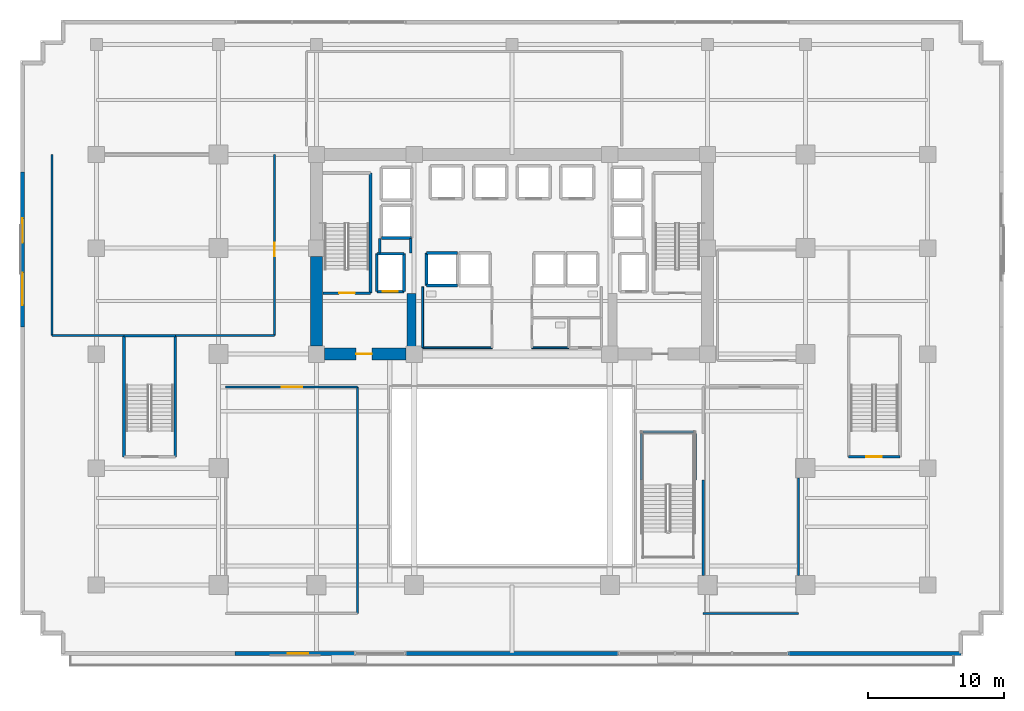
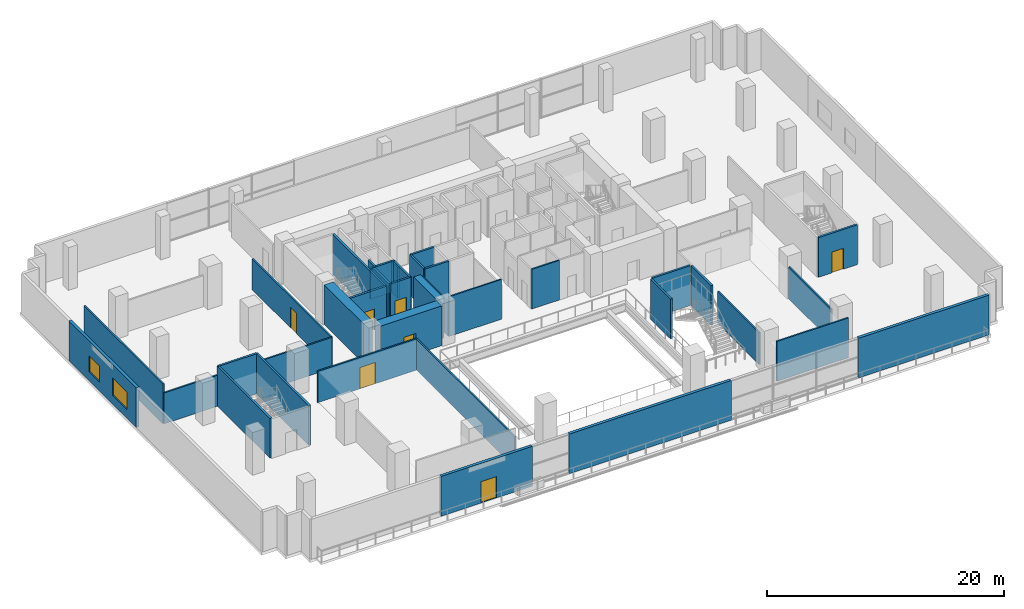
# One storey, part 13 of 23: 38 walls, 7 doors, 2 windows, 9 openings.
"""IFC4 building model written with IfcOpenShell, lengths in metres."""

from ifc_helpers import new_model, si_unit, direction, frame, frame_2d, origin, place, context, subcontext, project, spatial, rectangle, extrude, source, transform, mapped, material, layer, layer_set, type_object, element, fill, save


model = new_model("IFC4")

# Units and contexts
model_context = context("Model", 3, precision=1e-05, world=origin(), true_north=direction((0.0, 1.0)))
body_context = subcontext(model_context, "Body", "Model", "MODEL_VIEW")
ifc_project = project(units=[si_unit("LENGTHUNIT", "METRE"), si_unit("AREAUNIT", "SQUARE_METRE"), si_unit("VOLUMEUNIT", "CUBIC_METRE"), si_unit("PLANEANGLEUNIT", "RADIAN"), si_unit("MASSUNIT", "GRAM", prefix="KILO")], contexts=[model_context])

# Site, building, storey
site_placement = place(None, origin())
site = spatial("IfcSite", under=ifc_project, at=site_placement, CompositionType="ELEMENT")
building_placement = place(site_placement, origin())
building = spatial("IfcBuilding", under=site, at=building_placement, Name="Zarnakvel Exchange Tower", CompositionType="ELEMENT")
storey_placement = place(building_placement, frame((0.0, 0.0, 13.800048828125)))
storey = spatial("IfcBuildingStorey", under=building, at=storey_placement, Name="L03", CompositionType="ELEMENT", Elevation=13.800048828125)

# Wall
ifc_material_1 = material(Name="Concrete C80/95", Category="concrete")
ifc_layer_1 = layer(ifc_material_1, 0.89990234375)
ifc_layer_set_1 = layer_set([ifc_layer_1], Name="Concrete C80/95")
wall_type_1 = type_object("IfcWallType", Name="CW-C1", PredefinedType="SHEAR", material=ifc_layer_set_1)
wall_1_placement = place(storey_placement, frame((-14.39990234375, -0.60009765625, 0.0), z_axis=(0.0, 0.0, 1.0), x_axis=(0.0, 1.0, 0.0)))
element("IfcWall", 1, at=wall_1_placement, inside=storey, type_object=wall_type_1, Name="L03 Rear Core Shear Wall W1 (CW-C1)", PredefinedType="SHEAR", context=body_context, shape_type="SweptSolid", body=[
    extrude(rectangle(XDim=6.60009765625, YDim=0.89990234375, at=frame_2d((3.300048828125, 0.0))), origin(), (0.0, 0.0, 1.0), 4.099853515625),
])

# Wall, opening, door
wall_2_placement = place(storey_placement, frame((-7.800048828125, -1.199951171875, 0.0), z_axis=(0.0, 0.0, 1.0), x_axis=(-1.0, 0.0, 0.0)))
wall_2 = element("IfcWall", 2, at=wall_2_placement, inside=storey, type_object=wall_type_1, Name="L03 Rear Core Shear Wall SW (CW-C1)", PredefinedType="SHEAR", context=body_context, shape_type="SweptSolid", body=[
    extrude(rectangle(XDim=6.0, YDim=0.89990234375, at=frame_2d((3.0, 0.0))), origin(), (0.0, 0.0, 1.0), 4.099853515625),
])
opening_1_placement = place(wall_2_placement, frame((2.52490234375, 0.0, 0.0)))
opening_1 = element("IfcOpeningElement", 3, at=opening_1_placement, cuts=wall_2, Name="Opening D-L03-03", PredefinedType="OPENING", context=body_context, shape_type="SweptSolid", body=[
    extrude(rectangle(XDim=1.14990234375, YDim=2.14990234375, at=frame_2d((0.574951171875, 1.074951171875))), frame((0.0, 0.4599609375, 0.0), z_axis=(0.0, -1.0, 0.0), x_axis=(1.0, 0.0, 0.0)), (0.0, 0.0, 1.0), 0.919921875),
])
ifc_material_2 = material(Name="Painted Galvanised Steel S355", Category="steel")
door_type_1 = type_object("IfcDoorType", Name="DT-04", OperationType="NOTDEFINED", PredefinedType="DOOR", material=ifc_material_2)
shared_shape_1 = source(origin(), body_context, "Body", "SweptSolid", [
    extrude(rectangle(XDim=1.14990234375, YDim=2.14990234375, at=frame_2d((0.574951171875, 1.074951171875))), frame((0.0, 0.02490234375, 0.0), z_axis=(0.0, -1.0, 0.0), x_axis=(1.0, 0.0, 0.0)), (0.0, 0.0, 1.0), 0.050048828125),
])
door_1_placement = place(opening_1_placement, origin())
door_1 = element("IfcDoor", 4, at=door_1_placement, inside=storey, type_object=door_type_1, Name="L03 Firefighting Lobby West Door D-L03-03", OperationType="SINGLE_SWING_LEFT", OverallHeight=2.14990234375, OverallWidth=1.14990234375, PredefinedType="DOOR", context=body_context, shape_type="MappedRepresentation", body=[
    mapped(shared_shape_1, transform((0.0, 0.0, 0.0), x_axis=(1.0, 0.0, 0.0), y_axis=(0.0, 1.0, 0.0), z_axis=(0.0, 0.0, 1.0), scale=1.0)),
])
fill(opening_1, door_1)

# Wall
ifc_layer_2 = layer(ifc_material_1, 0.64990234375)
ifc_layer_set_2 = layer_set([ifc_layer_2], Name="Concrete C80/95")
wall_type_2 = type_object("IfcWallType", Name="CW-C2", PredefinedType="SHEAR", material=ifc_layer_set_2)
wall_3_placement = place(storey_placement, frame((-7.39990234375, -0.75, 0.0), z_axis=(0.0, 0.0, 1.0), x_axis=(0.0, 1.0, 0.0)))
element("IfcWall", 5, at=wall_3_placement, inside=storey, type_object=wall_type_2, Name="L03 Rear Core Shear Wall IW (CW-C2)", PredefinedType="SHEAR", context=body_context, shape_type="SweptSolid", body=[
    extrude(rectangle(XDim=4.0, YDim=0.64990234375, at=frame_2d((2.0, 0.0))), origin(), (0.0, 0.0, 1.0), 4.099853515625),
])

# Wall, openings, windows
ifc_material_3 = material(Name="Precast concrete C40/50", Category="concrete")
ifc_layer_3 = layer(ifc_material_3, 0.280029296875)
ifc_layer_set_3 = layer_set([ifc_layer_3], Name="Precast concrete C40/50")
wall_type_3 = type_object("IfcWallType", Name="EW-01", PredefinedType="SOLIDWALL", material=ifc_layer_set_3)
wall_4_placement = place(storey_placement, frame((-36.0400390625, 0.800048828125, 0.0), z_axis=(0.0, 0.0, 1.0), x_axis=(0.0, 1.0, 0.0)))
wall_4 = element("IfcWall", 6, at=wall_4_placement, inside=storey, type_object=wall_type_3, Name="L03 Exterior Precast Spandrel Wall EW-L03-WF (EW-01)", PredefinedType="SOLIDWALL", context=body_context, shape_type="SweptSolid", body=[
    extrude(rectangle(XDim=11.39990234375, YDim=0.280029296875, at=frame_2d((5.699951171875, 0.0))), origin(), (0.0, 0.0, 1.0), 4.099853515625),
])
opening_2_placement = place(wall_4_placement, frame((1.60009765625, 0.0, 0.89990234375)))
opening_2 = element("IfcOpeningElement", 7, at=opening_2_placement, cuts=wall_4, Name="Opening WN-01", PredefinedType="OPENING", context=body_context, shape_type="SweptSolid", body=[
    extrude(rectangle(XDim=2.39990234375, YDim=1.800048828125, at=frame_2d((1.199951171875, 0.89990234375))), frame((0.0, 0.14990234375, 0.0), z_axis=(0.0, -1.0, 0.0), x_axis=(1.0, 0.0, 0.0)), (0.0, 0.0, 1.0), 0.300048828125),
])
opening_3_placement = place(wall_4_placement, frame((6.199951171875, 0.0, 0.89990234375)))
opening_3 = element("IfcOpeningElement", 8, at=opening_3_placement, cuts=wall_4, Name="Opening WN-02", PredefinedType="OPENING", context=body_context, shape_type="SweptSolid", body=[
    extrude(rectangle(XDim=1.800048828125, YDim=1.64990234375, at=frame_2d((0.89990234375, 0.824951171875))), frame((0.0, 0.14990234375, 0.0), z_axis=(0.0, -1.0, 0.0), x_axis=(1.0, 0.0, 0.0)), (0.0, 0.0, 1.0), 0.300048828125),
])
ifc_material_4 = material(Name="Double Low-E Laminated Vision Glass", Category="glass")
window_type_1 = type_object("IfcWindowType", Name="WN-01", PartitioningType="SINGLE_PANEL", PredefinedType="WINDOW", material=ifc_material_4)
shared_shape_2 = source(origin(), body_context, "Body", "SweptSolid", [
    extrude(rectangle(XDim=2.39990234375, YDim=1.800048828125, at=frame_2d((1.199951171875, 0.89990234375))), frame((0.0, 0.030029296875, 0.0), z_axis=(0.0, -1.0, 0.0), x_axis=(1.0, 0.0, 0.0)), (0.0, 0.0, 1.0), 0.06005859375),
])
window_1_placement = place(opening_2_placement, origin())
window_1 = element("IfcWindow", 9, at=window_1_placement, inside=storey, type_object=window_type_1, Name="L03 West Flank Window 1", OverallHeight=1.800048828125, OverallWidth=2.39990234375, PartitioningType="SINGLE_PANEL", PredefinedType="WINDOW", context=body_context, shape_type="MappedRepresentation", body=[
    mapped(shared_shape_2, transform((0.0, 0.0, 0.0), x_axis=(1.0, 0.0, 0.0), y_axis=(0.0, 1.0, 0.0), z_axis=(0.0, 0.0, 1.0), scale=1.0)),
])
fill(opening_2, window_1)
window_type_2 = type_object("IfcWindowType", Name="WN-02", PartitioningType="SINGLE_PANEL", PredefinedType="WINDOW", material=ifc_material_4)
shared_shape_3 = source(origin(), body_context, "Body", "SweptSolid", [
    extrude(rectangle(XDim=1.800048828125, YDim=1.64990234375, at=frame_2d((0.89990234375, 0.824951171875))), frame((0.0, 0.030029296875, 0.0), z_axis=(0.0, -1.0, 0.0), x_axis=(1.0, 0.0, 0.0)), (0.0, 0.0, 1.0), 0.06005859375),
])
window_2_placement = place(opening_3_placement, origin())
window_2 = element("IfcWindow", 10, at=window_2_placement, inside=storey, type_object=window_type_2, Name="L03 West Flank Window 2", OverallHeight=1.64990234375, OverallWidth=1.800048828125, PartitioningType="SINGLE_PANEL", PredefinedType="WINDOW", context=body_context, shape_type="MappedRepresentation", body=[
    mapped(shared_shape_3, transform((0.0, 0.0, 0.0), x_axis=(1.0, 0.0, 0.0), y_axis=(0.0, 1.0, 0.0), z_axis=(0.0, 0.0, 1.0), scale=1.0)),
])
fill(opening_3, window_2)

# Wall, opening, door
wall_5_placement = place(storey_placement, frame((-11.5048828125, -23.239990234375, 0.0), z_axis=(0.0, 0.0, 1.0), x_axis=(-1.0, 0.0, 0.0)))
wall_5 = element("IfcWall", 11, at=wall_5_placement, inside=storey, type_object=wall_type_3, Name="L03 Exterior Precast Spandrel Wall EW-L03-PT (EW-01)", PredefinedType="SOLIDWALL", context=body_context, shape_type="SweptSolid", body=[
    extrude(rectangle(XDim=8.89501953125, YDim=0.280029296875, at=frame_2d((4.447509765625, 0.0))), origin(), (0.0, 0.0, 1.0), 4.099853515625),
])
opening_4_placement = place(wall_5_placement, frame((3.4951171875, 0.0, 0.0)))
opening_4 = element("IfcOpeningElement", 12, at=opening_4_placement, cuts=wall_5, Name="Opening TD-L03-01", PredefinedType="OPENING", context=body_context, shape_type="SweptSolid", body=[
    extrude(rectangle(XDim=1.5, YDim=2.199951171875, at=frame_2d((0.75, 1.10009765625))), frame((0.0, 0.14990234375, 0.0), z_axis=(0.0, -1.0, 0.0), x_axis=(1.0, 0.0, 0.0)), (0.0, 0.0, 1.0), 0.300048828125),
])
ifc_material_5 = material(Name="Architectural Bronze Anodised Aluminium", Category="aluminium")
door_type_2 = type_object("IfcDoorType", Name="DT-10", OperationType="NOTDEFINED", PredefinedType="DOOR", material=ifc_material_5)
shared_shape_4 = source(origin(), body_context, "Body", "SweptSolid", [
    extrude(rectangle(XDim=1.5, YDim=2.199951171875, at=frame_2d((0.75, 1.10009765625))), frame((0.0, 0.02490234375, 0.0), z_axis=(0.0, -1.0, 0.0), x_axis=(1.0, 0.0, 0.0)), (0.0, 0.0, 1.0), 0.050048828125),
])
door_2_placement = place(opening_4_placement, origin())
door_2 = element("IfcDoor", 13, at=door_2_placement, inside=storey, type_object=door_type_2, Name="L03 Podium Terrace Access Door TD-L03-01", OperationType="DOUBLE_DOOR_SINGLE_SWING", OverallHeight=2.199951171875, OverallWidth=1.5, PredefinedType="DOOR", context=body_context, shape_type="MappedRepresentation", body=[
    mapped(shared_shape_4, transform((0.0, 0.0, 0.0), x_axis=(1.0, 0.0, 0.0), y_axis=(0.0, 1.0, 0.0), z_axis=(0.0, 0.0, 1.0), scale=1.0)),
])
fill(opening_4, door_2)

# Walls
wall_6_placement = place(storey_placement, frame((20.304931640625, -23.239990234375, 0.0), z_axis=(0.0, 0.0, 1.0), x_axis=(1.0, 0.0, 0.0)))
element("IfcWall", 14, at=wall_6_placement, inside=storey, type_object=wall_type_3, Name="L03 Exterior Precast Spandrel Wall EWC-L03-20 (EW-01)", PredefinedType="SOLIDWALL", context=body_context, shape_type="SweptSolid", body=[
    extrude(rectangle(XDim=12.735107421875, YDim=0.280029296875, at=frame_2d((6.36767578125, 0.0))), origin(), (0.0, 0.0, 1.0), 4.099853515625),
])
wall_7_placement = place(storey_placement, frame((-7.89501953125, -23.239990234375, 0.0), z_axis=(0.0, 0.0, 1.0), x_axis=(1.0, 0.0, 0.0)))
element("IfcWall", 15, at=wall_7_placement, inside=storey, type_object=wall_type_3, Name="L03 Exterior Precast Spandrel Wall EWC-L03-21 (EW-01)", PredefinedType="SOLIDWALL", context=body_context, shape_type="SweptSolid", body=[
    extrude(rectangle(XDim=15.7900390625, YDim=0.280029296875, at=frame_2d((7.89501953125, 0.0))), origin(), (0.0, 0.0, 1.0), 4.099853515625),
])

# Wall, opening, door
ifc_material_6 = material(Name="Fire-Rated Gypsum Stud Partition", Category="gypsum")
ifc_layer_4 = layer(ifc_material_6, 0.14990234375)
ifc_layer_set_4 = layer_set([ifc_layer_4], Name="Fire-Rated Gypsum Stud Partition")
wall_type_4 = type_object("IfcWallType", Name="PT-01", PredefinedType="PARTITIONING", material=ifc_layer_set_4)
wall_8_placement = place(storey_placement, frame((-21.080078125, -3.6298828125, 0.0), z_axis=(0.0, 0.0, 1.0), x_axis=(1.0, 0.0, 0.0)))
wall_8 = element("IfcWall", 16, at=wall_8_placement, inside=storey, type_object=wall_type_4, Name="L03 Partition Wall PWALL-L03-031 (PT-01)", PredefinedType="PARTITIONING", context=body_context, shape_type="SweptSolid", body=[
    extrude(rectangle(XDim=9.7001953125, YDim=0.14990234375, at=frame_2d((4.85009765625, 0.0))), origin(), (0.0, 0.0, 1.0), 3.239013671875),
])
opening_5_placement = place(wall_8_placement, frame((4.1298828125, 0.0, 0.0)))
opening_5 = element("IfcOpeningElement", 17, at=opening_5_placement, cuts=wall_8, Name="Opening D-L03-11", PredefinedType="OPENING", context=body_context, shape_type="SweptSolid", body=[
    extrude(rectangle(XDim=1.5, YDim=2.199951171875, at=frame_2d((0.75, 1.10009765625))), frame((0.0, 0.0849609375, 0.0), z_axis=(0.0, -1.0, 0.0), x_axis=(1.0, 0.0, 0.0)), (0.0, 0.0, 1.0), 0.169921875),
])
ifc_material_7 = material(Name="Timber Acoustic Veneer", Category="wood")
door_type_3 = type_object("IfcDoorType", Name="DT-03", OperationType="NOTDEFINED", PredefinedType="DOOR", material=ifc_material_7)
door_3_placement = place(opening_5_placement, origin())
door_3 = element("IfcDoor", 18, at=door_3_placement, inside=storey, type_object=door_type_3, Name="L03 Conference Auditorium Door D-L03-11", OperationType="DOUBLE_DOOR_SINGLE_SWING", OverallHeight=2.199951171875, OverallWidth=1.5, PredefinedType="DOOR", context=body_context, shape_type="MappedRepresentation", body=[
    mapped(shared_shape_4, transform((0.0, 0.0, 0.0), x_axis=(1.0, 0.0, 0.0), y_axis=(0.0, 1.0, 0.0), z_axis=(0.0, 0.0, 1.0), scale=1.0)),
])
fill(opening_5, door_3)

# Walls
wall_9_placement = place(storey_placement, frame((-11.3798828125, -3.6298828125, 0.0), z_axis=(0.0, 0.0, 1.0), x_axis=(0.0, -1.0, 0.0)))
element("IfcWall", 19, at=wall_9_placement, inside=storey, type_object=wall_type_4, Name="L03 Partition Wall PWALL-L03-033 (PT-01)", PredefinedType="PARTITIONING", context=body_context, shape_type="SweptSolid", body=[
    extrude(rectangle(XDim=16.650146484375, YDim=0.14990234375, at=frame_2d((8.3251953125, 0.0))), origin(), (0.0, 0.0, 1.0), 3.18994140625),
])
wall_10_placement = place(storey_placement, frame((21.080078125, -20.280029296875, 0.0), z_axis=(0.0, 0.0, 1.0), x_axis=(-1.0, 0.0, 0.0)))
element("IfcWall", 20, at=wall_10_placement, inside=storey, type_object=wall_type_4, Name="L03 Partition Wall PWALL-L03-034 (PT-01)", PredefinedType="PARTITIONING", context=body_context, shape_type="SweptSolid", body=[
    extrude(rectangle(XDim=7.0, YDim=0.14990234375, at=frame_2d((3.5, 0.0))), origin(), (0.0, 0.0, 1.0), 4.099853515625),
])
wall_11_placement = place(storey_placement, frame((14.080078125, -17.47998046875, 0.0), z_axis=(0.0, 0.0, 1.0), x_axis=(0.0, 1.0, 0.0)))
element("IfcWall", 21, at=wall_11_placement, inside=storey, type_object=wall_type_4, Name="L03 Partition Wall PWALL-L03-036 (PT-01)", PredefinedType="PARTITIONING", context=body_context, shape_type="SweptSolid", body=[
    extrude(rectangle(XDim=7.030029296875, YDim=0.14990234375, at=frame_2d((3.51513671875, 0.0))), origin(), (0.0, 0.0, 1.0), 3.2900390625),
])
wall_12_placement = place(storey_placement, frame((21.080078125, -10.320068359375, 0.0), z_axis=(0.0, 0.0, 1.0), x_axis=(0.0, -1.0, 0.0)))
element("IfcWall", 22, at=wall_12_placement, inside=storey, type_object=wall_type_4, Name="L03 Partition Wall PWALL-L03-038 (PT-01)", PredefinedType="PARTITIONING", context=body_context, shape_type="SweptSolid", body=[
    extrude(rectangle(XDim=7.159912109375, YDim=0.14990234375, at=frame_2d((3.580078125, 0.0))), origin(), (0.0, 0.0, 1.0), 3.2900390625),
])
wall_13_placement = place(storey_placement, frame((-28.56005859375, 0.169921875, 0.0), z_axis=(0.0, 0.0, 1.0), x_axis=(-1.0, 0.0, 0.0)))
element("IfcWall", 23, at=wall_13_placement, inside=storey, type_object=wall_type_4, Name="L03 Partition Wall PWALL-L03-039 (PT-01)", PredefinedType="PARTITIONING", context=body_context, shape_type="SweptSolid", body=[
    extrude(rectangle(XDim=5.31982421875, YDim=0.14990234375, at=frame_2d((2.659912109375, 0.0))), origin(), (0.0, 0.0, 1.0), 3.18994140625),
])
wall_14_placement = place(storey_placement, frame((-17.47998046875, 0.169921875, 0.0), z_axis=(0.0, 0.0, 1.0), x_axis=(-1.0, 0.0, 0.0)))
element("IfcWall", 24, at=wall_14_placement, inside=storey, type_object=wall_type_4, Name="L03 Partition Wall PWALL-L03-040 (PT-01)", PredefinedType="PARTITIONING", context=body_context, shape_type="SweptSolid", body=[
    extrude(rectangle(XDim=7.31005859375, YDim=0.14990234375, at=frame_2d((3.655029296875, 0.0))), origin(), (0.0, 0.0, 1.0), 3.18994140625),
])
wall_15_placement = place(storey_placement, frame((-33.8798828125, 0.169921875, 0.0), z_axis=(0.0, 0.0, 1.0), x_axis=(0.0, 1.0, 0.0)))
element("IfcWall", 25, at=wall_15_placement, inside=storey, type_object=wall_type_4, Name="L03 Partition Wall PWALL-L03-042 (PT-01)", PredefinedType="PARTITIONING", context=body_context, shape_type="SweptSolid", body=[
    extrude(rectangle(XDim=13.31005859375, YDim=0.14990234375, at=frame_2d((6.655029296875, 0.0))), origin(), (0.0, 0.0, 1.0), 4.099853515625),
])

# Wall, opening, door
wall_16_placement = place(storey_placement, frame((-17.47998046875, 13.47998046875, 0.0), z_axis=(0.0, 0.0, 1.0), x_axis=(0.0, -1.0, 0.0)))
wall_16 = element("IfcWall", 26, at=wall_16_placement, inside=storey, type_object=wall_type_4, Name="L03 Partition Wall PWALL-L03-043 (PT-01)", PredefinedType="PARTITIONING", context=body_context, shape_type="SweptSolid", body=[
    extrude(rectangle(XDim=13.31005859375, YDim=0.14990234375, at=frame_2d((6.655029296875, 0.0))), origin(), (0.0, 0.0, 1.0), 3.18994140625),
])
opening_6_placement = place(wall_16_placement, frame((6.489990234375, 0.0, 0.0)))
opening_6 = element("IfcOpeningElement", 27, at=opening_6_placement, cuts=wall_16, Name="Opening D-L03-13", PredefinedType="OPENING", context=body_context, shape_type="SweptSolid", body=[
    extrude(rectangle(XDim=0.97998046875, YDim=2.14990234375, at=frame_2d((0.489990234375, 1.074951171875))), frame((0.0, 0.0849609375, 0.0), z_axis=(0.0, -1.0, 0.0), x_axis=(1.0, 0.0, 0.0)), (0.0, 0.0, 1.0), 0.169921875),
])
door_type_4 = type_object("IfcDoorType", Name="DT-05", OperationType="NOTDEFINED", PredefinedType="DOOR", material=ifc_material_7)
shared_shape_5 = source(origin(), body_context, "Body", "SweptSolid", [
    extrude(rectangle(XDim=0.97998046875, YDim=2.14990234375, at=frame_2d((0.489990234375, 1.074951171875))), frame((0.0, 0.02490234375, 0.0), z_axis=(0.0, -1.0, 0.0), x_axis=(1.0, 0.0, 0.0)), (0.0, 0.0, 1.0), 0.050048828125),
])
door_4_placement = place(opening_6_placement, origin())
door_4 = element("IfcDoor", 28, at=door_4_placement, inside=storey, type_object=door_type_4, Name="L03 Capital Markets Training Room Door D-L03-13", OperationType="SINGLE_SWING_LEFT", OverallHeight=2.14990234375, OverallWidth=0.97998046875, PredefinedType="DOOR", context=body_context, shape_type="MappedRepresentation", body=[
    mapped(shared_shape_5, transform((0.0, 0.0, 0.0), x_axis=(1.0, 0.0, 0.0), y_axis=(0.0, 1.0, 0.0), z_axis=(0.0, 0.0, 1.0), scale=1.0)),
])
fill(opening_6, door_4)

# Walls
ifc_layer_5 = layer(ifc_material_6, 0.179931640625)
ifc_layer_set_5 = layer_set([ifc_layer_5], Name="Fire-Rated Gypsum Stud Partition")
wall_type_5 = type_object("IfcWallType", Name="PT-02", PredefinedType="PARTITIONING", material=ifc_layer_set_5)
wall_17_placement = place(storey_placement, frame((-9.72998046875, 6.239990234375, 0.0), z_axis=(0.0, 0.0, 1.0), x_axis=(0.0, 1.0, 0.0)))
element("IfcWall", 29, at=wall_17_placement, inside=storey, type_object=wall_type_5, Name="L03 Partition Wall PWALL-L03-007 (PT-02)", PredefinedType="PARTITIONING", context=body_context, shape_type="SweptSolid", body=[
    extrude(rectangle(XDim=1.090087890625, YDim=0.179931640625, at=frame_2d((0.544921875, 0.0))), origin(), (0.0, 0.0, 1.0), 4.099853515625),
])
wall_18_placement = place(storey_placement, frame((-7.469970703125, 7.330078125, 0.0), z_axis=(0.0, 0.0, 1.0), x_axis=(0.0, -1.0, 0.0)))
element("IfcWall", 30, at=wall_18_placement, inside=storey, type_object=wall_type_5, Name="L03 Partition Wall PWALL-L03-008 (PT-02)", PredefinedType="PARTITIONING", context=body_context, shape_type="SweptSolid", body=[
    extrude(rectangle(XDim=1.090087890625, YDim=0.179931640625, at=frame_2d((0.544921875, 0.0))), origin(), (0.0, 0.0, 1.0), 3.18994140625),
])
ifc_material_8 = material(Name="Moisture-Resistant Tile-Faced Partition", Category="gypsum")
ifc_layer_6 = layer(ifc_material_8, 0.135009765625)
ifc_layer_set_6 = layer_set([ifc_layer_6], Name="Moisture-Resistant Tile-Faced Partition")
wall_type_6 = type_object("IfcWallType", Name="PT-03", PredefinedType="PARTITIONING", material=ifc_layer_set_6)
wall_19_placement = place(storey_placement, frame((-1.469970703125, -0.72998046875, 0.0), z_axis=(0.0, 0.0, 1.0), x_axis=(-1.0, 0.0, 0.0)))
element("IfcWall", 31, at=wall_19_placement, inside=storey, type_object=wall_type_6, Name="L03 Partition Wall PWALL-L03-011 (PT-03)", PredefinedType="PARTITIONING", context=body_context, shape_type="SweptSolid", body=[
    extrude(rectangle(XDim=5.110107421875, YDim=0.135009765625, at=frame_2d((2.55517578125, 0.0))), origin(), (0.0, 0.0, 1.0), 4.099853515625),
])
wall_20_placement = place(storey_placement, frame((-6.580078125, -0.72998046875, 0.0), z_axis=(0.0, 0.0, 1.0), x_axis=(0.0, 1.0, 0.0)))
element("IfcWall", 32, at=wall_20_placement, inside=storey, type_object=wall_type_6, Name="L03 Partition Wall PWALL-L03-012 (PT-03)", PredefinedType="PARTITIONING", context=body_context, shape_type="SweptSolid", body=[
    extrude(rectangle(XDim=4.489990234375, YDim=0.135009765625, at=frame_2d((2.2451171875, 0.0))), origin(), (0.0, 0.0, 1.0), 3.47265625),
])
wall_21_placement = place(storey_placement, frame((4.179931640625, -0.72998046875, 0.0), z_axis=(0.0, 0.0, 1.0), x_axis=(-1.0, 0.0, 0.0)))
element("IfcWall", 33, at=wall_21_placement, inside=storey, type_object=wall_type_6, Name="L03 Partition Wall PWALL-L03-017 (PT-03)", PredefinedType="PARTITIONING", context=body_context, shape_type="SweptSolid", body=[
    extrude(rectangle(XDim=2.7099609375, YDim=0.135009765625, at=frame_2d((1.35498046875, 0.0))), origin(), (0.0, 0.0, 1.0), 4.099853515625),
])

# Wall, opening, door
ifc_material_9 = material(Name="Concrete C40/50", Category="concrete")
ifc_layer_7 = layer(ifc_material_9, 0.199951171875)
ifc_layer_set_7 = layer_set([ifc_layer_7], Name="Concrete C40/50")
wall_type_7 = type_object("IfcWallType", Name="SW-01", PredefinedType="SOLIDWALL", material=ifc_layer_set_7)
wall_22_placement = place(storey_placement, frame((-7.949951171875, 3.39990234375, 0.0), z_axis=(0.0, 0.0, 1.0), x_axis=(-1.0, 0.0, 0.0)))
wall_22 = element("IfcWall", 34, at=wall_22_placement, inside=storey, type_object=wall_type_7, Name="L03 FL-01 Hoistway Wall South", PredefinedType="SOLIDWALL", context=body_context, shape_type="SweptSolid", body=[
    extrude(rectangle(XDim=2.0, YDim=0.199951171875, at=frame_2d((1.0, 0.0))), origin(), (0.0, 0.0, 1.0), 4.099853515625),
])
opening_7_placement = place(wall_22_placement, frame((0.449951171875, 0.0, 0.0)))
opening_7 = element("IfcOpeningElement", 35, at=opening_7_placement, cuts=wall_22, Name="Opening LD-FL-01-L03", PredefinedType="OPENING", context=body_context, shape_type="SweptSolid", body=[
    extrude(rectangle(XDim=1.10009765625, YDim=2.199951171875, at=frame_2d((0.550048828125, 1.10009765625))), frame((0.0, 0.10986328125, 0.0), z_axis=(0.0, -1.0, 0.0), x_axis=(1.0, 0.0, 0.0)), (0.0, 0.0, 1.0), 0.219970703125),
])
ifc_material_10 = material(Name="Brushed Stainless Steel", Category="steel")
door_type_5 = type_object("IfcDoorType", Name="LDT-01", OperationType="NOTDEFINED", PredefinedType="DOOR", material=ifc_material_10)
shared_shape_6 = source(origin(), body_context, "Body", "SweptSolid", [
    extrude(rectangle(XDim=1.10009765625, YDim=2.199951171875, at=frame_2d((0.550048828125, 1.10009765625))), frame((0.0, 0.02490234375, 0.0), z_axis=(0.0, -1.0, 0.0), x_axis=(1.0, 0.0, 0.0)), (0.0, 0.0, 1.0), 0.050048828125),
])
door_5_placement = place(opening_7_placement, origin())
door_5 = element("IfcDoor", 36, at=door_5_placement, inside=storey, type_object=door_type_5, Name="L03 FL-01 Lift Landing Door LD-FL-01-L03", OperationType="DOUBLE_DOOR_SLIDING", OverallHeight=2.199951171875, OverallWidth=1.10009765625, PredefinedType="DOOR", context=body_context, shape_type="MappedRepresentation", body=[
    mapped(shared_shape_6, transform((0.0, 0.0, 0.0), x_axis=(1.0, 0.0, 0.0), y_axis=(0.0, 1.0, 0.0), z_axis=(0.0, 0.0, 1.0), scale=1.0)),
])
fill(opening_7, door_5)

# Walls
wall_23_placement = place(storey_placement, frame((-9.949951171875, 6.199951171875, 0.0), z_axis=(0.0, 0.0, 1.0), x_axis=(1.0, 0.0, 0.0)))
element("IfcWall", 37, at=wall_23_placement, inside=storey, type_object=wall_type_7, Name="L03 FL-01 Hoistway Wall North", PredefinedType="SOLIDWALL", context=body_context, shape_type="SweptSolid", body=[
    extrude(rectangle(XDim=2.0, YDim=0.199951171875, at=frame_2d((1.0, 0.0))), origin(), (0.0, 0.0, 1.0), 4.099853515625),
])
for number, where, z_axis, x_axis, name in (
    (38, (-9.949951171875, 3.39990234375, 0.0), (0.0, 0.0, 1.0), (0.0, 1.0, 0.0), "L03 FL-01 Hoistway Wall West"),
    (39, (-7.949951171875, 6.199951171875, 0.0), (0.0, 0.0, 1.0), (0.0, -1.0, 0.0), "L03 FL-01 Hoistway Wall East"),
):
    element("IfcWall", number, at=place(storey_placement, frame(where, z_axis=z_axis, x_axis=x_axis)), inside=storey, type_object=wall_type_7, Name=name, PredefinedType="SOLIDWALL", context=body_context, shape_type="SweptSolid", body=[
        extrude(rectangle(XDim=2.800048828125, YDim=0.199951171875, at=frame_2d((1.39990234375, 0.0))), origin(), (0.0, 0.0, 1.0), 4.099853515625),
    ])
for number, where, z_axis, x_axis, name in (
    (40, (-4.0, 3.85009765625, 0.0), (0.0, 0.0, 1.0), (-1.0, 0.0, 0.0), "L03 PL-05 Hoistway Wall South"),
    (41, (-6.300048828125, 6.25, 0.0), (0.0, 0.0, 1.0), (1.0, 0.0, 0.0), "L03 PL-05 Hoistway Wall North"),
):
    element("IfcWall", number, at=place(storey_placement, frame(where, z_axis=z_axis, x_axis=x_axis)), inside=storey, type_object=wall_type_7, Name=name, PredefinedType="SOLIDWALL", context=body_context, shape_type="SweptSolid", body=[
        extrude(rectangle(XDim=2.300048828125, YDim=0.199951171875, at=frame_2d((1.14990234375, 0.0))), origin(), (0.0, 0.0, 1.0), 4.099853515625),
    ])
wall_24_placement = place(storey_placement, frame((-6.300048828125, 3.85009765625, 0.0), z_axis=(0.0, 0.0, 1.0), x_axis=(0.0, 1.0, 0.0)))
element("IfcWall", 42, at=wall_24_placement, inside=storey, type_object=wall_type_7, Name="L03 PL-05 Hoistway Wall West", PredefinedType="SOLIDWALL", context=body_context, shape_type="SweptSolid", body=[
    extrude(rectangle(XDim=2.39990234375, YDim=0.199951171875, at=frame_2d((1.199951171875, 0.0))), origin(), (0.0, 0.0, 1.0), 4.099853515625),
])
wall_25_placement = place(storey_placement, frame((-7.39990234375, 7.35009765625, 0.0), z_axis=(0.0, 0.0, 1.0), x_axis=(-1.0, 0.0, 0.0)))
element("IfcWall", 43, at=wall_25_placement, inside=storey, type_object=wall_type_7, Name="L03 PL-09 Hoistway Wall South", PredefinedType="SOLIDWALL", context=body_context, shape_type="SweptSolid", body=[
    extrude(rectangle(XDim=2.2001953125, YDim=0.199951171875, at=frame_2d((1.10009765625, 0.0))), origin(), (0.0, 0.0, 1.0), 3.18994140625),
])
ifc_layer_8 = layer(ifc_material_9, 0.199951171875)
ifc_layer_set_8 = layer_set([ifc_layer_8], Name="Concrete C40/50")
wall_type_8 = type_object("IfcWallType", Name="SW-02", PredefinedType="SOLIDWALL", material=ifc_layer_set_8)
for number, where, z_axis, x_axis, name in (
    (44, (9.52001953125, -10.449951171875, 0.0), (0.0, 0.0, 1.0), (0.0, 1.0, 0.0), "L03 Atrium Feature Stair ST-06 Bearing Wall W"),
    (45, (13.47998046875, -7.050048828125, 0.0), (0.0, 0.0, 1.0), (0.0, -1.0, 0.0), "L03 Atrium Feature Stair ST-06 Bearing Wall E"),
):
    element("IfcWall", number, at=place(storey_placement, frame(where, z_axis=z_axis, x_axis=x_axis)), inside=storey, type_object=wall_type_8, Name=name, PredefinedType="SOLIDWALL", context=body_context, shape_type="SweptSolid", body=[
        extrude(rectangle(XDim=3.39990234375, YDim=0.199951171875, at=frame_2d((1.699951171875, 0.0))), origin(), (0.0, 0.0, 1.0), 4.099853515625),
    ])
wall_26_placement = place(storey_placement, frame((9.64990234375, -6.919921875, 0.0), z_axis=(0.0, 0.0, 1.0), x_axis=(1.0, 0.0, 0.0)))
element("IfcWall", 46, at=wall_26_placement, inside=storey, type_object=wall_type_8, Name="L03 Atrium Feature Stair ST-06 Bearing Wall N", PredefinedType="SOLIDWALL", context=body_context, shape_type="SweptSolid", body=[
    extrude(rectangle(XDim=3.7001953125, YDim=0.199951171875, at=frame_2d((1.85009765625, 0.0))), origin(), (0.0, 0.0, 1.0), 4.099853515625),
])

# Wall, opening, door
wall_27_placement = place(storey_placement, frame((-10.409912109375, 3.2900390625, 0.0), z_axis=(0.0, 0.0, 1.0), x_axis=(-1.0, 0.0, 0.0)))
wall_27 = element("IfcWall", 47, at=wall_27_placement, inside=storey, type_object=wall_type_8, Name="L03 Stairwell Core Wall PWALL-L03-001 (SW-02)", PredefinedType="SOLIDWALL", context=body_context, shape_type="SweptSolid", body=[
    extrude(rectangle(XDim=3.52001953125, YDim=0.199951171875, at=frame_2d((1.760009765625, 0.0))), origin(), (0.0, 0.0, 1.0), 4.099853515625),
])
opening_8_placement = place(wall_27_placement, frame((1.1650390625, 0.0, 0.0)))
opening_8 = element("IfcOpeningElement", 48, at=opening_8_placement, cuts=wall_27, Name="Opening D-L03-01", PredefinedType="OPENING", context=body_context, shape_type="SweptSolid", body=[
    extrude(rectangle(XDim=1.14990234375, YDim=2.14990234375, at=frame_2d((0.574951171875, 1.074951171875))), frame((0.0, 0.10986328125, 0.0), z_axis=(0.0, -1.0, 0.0), x_axis=(1.0, 0.0, 0.0)), (0.0, 0.0, 1.0), 0.219970703125),
])
door_6_placement = place(opening_8_placement, origin())
door_6 = element("IfcDoor", 49, at=door_6_placement, inside=storey, type_object=door_type_1, Name="L03 Stairwell ST-01 Door D-L03-01", OperationType="SINGLE_SWING_LEFT", OverallHeight=2.14990234375, OverallWidth=1.14990234375, PredefinedType="DOOR", context=body_context, shape_type="MappedRepresentation", body=[
    mapped(shared_shape_1, transform((0.0, 0.0, 0.0), x_axis=(1.0, 0.0, 0.0), y_axis=(0.0, 1.0, 0.0), z_axis=(0.0, 0.0, 1.0), scale=1.0)),
])
fill(opening_8, door_6)

# Walls
wall_28_placement = place(storey_placement, frame((-10.409912109375, 12.1298828125, 0.0), z_axis=(0.0, 0.0, 1.0), x_axis=(0.0, -1.0, 0.0)))
element("IfcWall", 50, at=wall_28_placement, inside=storey, type_object=wall_type_8, Name="L03 Stairwell Core Wall PWALL-L03-003 (SW-02)", PredefinedType="SOLIDWALL", context=body_context, shape_type="SweptSolid", body=[
    extrude(rectangle(XDim=8.83984375, YDim=0.199951171875, at=frame_2d((4.419921875, 0.0))), origin(), (0.0, 0.0, 1.0), 4.099853515625),
])
wall_29_placement = place(storey_placement, frame((-28.56005859375, 0.159912109375, 0.0), z_axis=(0.0, 0.0, 1.0), x_axis=(1.0, 0.0, 0.0)))
element("IfcWall", 51, at=wall_29_placement, inside=storey, type_object=wall_type_8, Name="L03 Stairwell Core Wall PWALL-L03-023 (SW-02)", PredefinedType="SOLIDWALL", context=body_context, shape_type="SweptSolid", body=[
    extrude(rectangle(XDim=3.77001953125, YDim=0.199951171875, at=frame_2d((1.885009765625, 0.0))), origin(), (0.0, 0.0, 1.0), 4.099853515625),
])
for number, where, z_axis, x_axis, name in (
    (52, (-28.56005859375, -8.760009765625, 0.0), (0.0, 0.0, 1.0), (0.0, 1.0, 0.0), "L03 Stairwell Core Wall PWALL-L03-024 (SW-02)"),
    (53, (-24.7900390625, 0.159912109375, 0.0), (0.0, 0.0, 1.0), (0.0, -1.0, 0.0), "L03 Stairwell Core Wall PWALL-L03-025 (SW-02)"),
):
    element("IfcWall", number, at=place(storey_placement, frame(where, z_axis=z_axis, x_axis=x_axis)), inside=storey, type_object=wall_type_8, Name=name, PredefinedType="SOLIDWALL", context=body_context, shape_type="SweptSolid", body=[
        extrude(rectangle(XDim=8.919921875, YDim=0.199951171875, at=frame_2d((4.4599609375, 0.0))), origin(), (0.0, 0.0, 1.0), 4.099853515625),
    ])

# Wall, opening, door
wall_30_placement = place(storey_placement, frame((28.56005859375, -8.760009765625, 0.0), z_axis=(0.0, 0.0, 1.0), x_axis=(-1.0, 0.0, 0.0)))
wall_30 = element("IfcWall", 54, at=wall_30_placement, inside=storey, type_object=wall_type_8, Name="L03 Stairwell Core Wall PWALL-L03-026 (SW-02)", PredefinedType="SOLIDWALL", context=body_context, shape_type="SweptSolid", body=[
    extrude(rectangle(XDim=3.77001953125, YDim=0.199951171875, at=frame_2d((1.885009765625, 0.0))), origin(), (0.0, 0.0, 1.0), 4.099853515625),
])
opening_9_placement = place(wall_30_placement, frame((1.3349609375, 0.0, 0.0)))
opening_9 = element("IfcOpeningElement", 55, at=opening_9_placement, cuts=wall_30, Name="Opening D-L03-10", PredefinedType="OPENING", context=body_context, shape_type="SweptSolid", body=[
    extrude(rectangle(XDim=1.14990234375, YDim=2.14990234375, at=frame_2d((0.574951171875, 1.074951171875))), frame((0.0, 0.10986328125, 0.0), z_axis=(0.0, -1.0, 0.0), x_axis=(1.0, 0.0, 0.0)), (0.0, 0.0, 1.0), 0.219970703125),
])
door_7_placement = place(opening_9_placement, origin())
door_7 = element("IfcDoor", 56, at=door_7_placement, inside=storey, type_object=door_type_1, Name="L03 Stairwell ST-04 Door D-L03-10", OperationType="SINGLE_SWING_RIGHT", OverallHeight=2.14990234375, OverallWidth=1.14990234375, PredefinedType="DOOR", context=body_context, shape_type="MappedRepresentation", body=[
    mapped(shared_shape_1, transform((0.0, 0.0, 0.0), x_axis=(1.0, 0.0, 0.0), y_axis=(0.0, 1.0, 0.0), z_axis=(0.0, 0.0, 1.0), scale=1.0)),
])
fill(opening_9, door_7)

save(model, "model.ifc")
